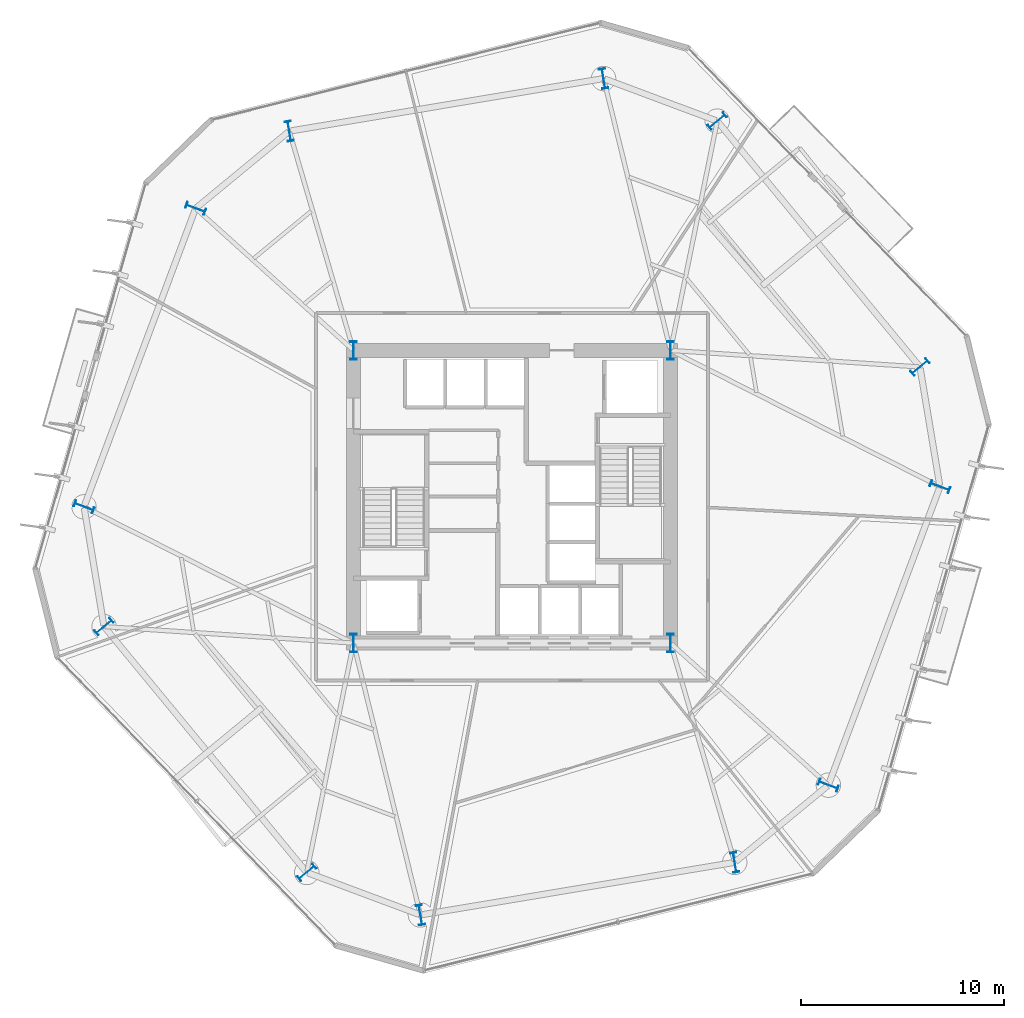
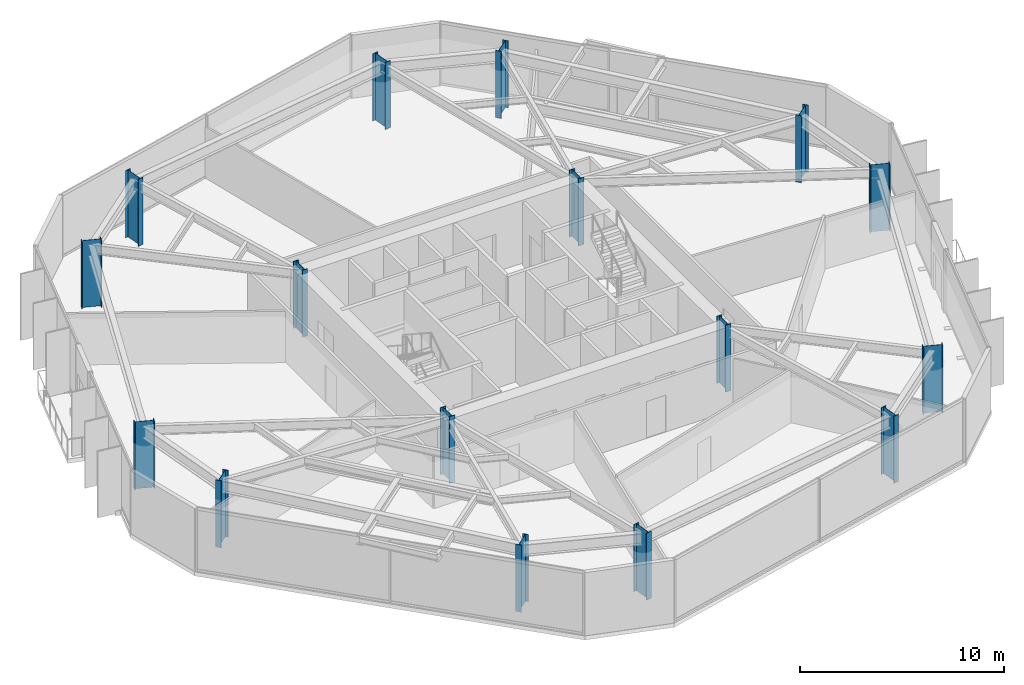
# One storey, part 1 of 10: 16 columns.
"""IFC4 building model written with IfcOpenShell, lengths in metres."""

from ifc_helpers import new_model, si_unit, direction, frame, origin, origin_2d, place, context, subcontext, project, spatial, i_section, extrude, material, material_profile, profile_set, type_object, element, save


model = new_model("IFC4")

# Units and contexts
model_context = context("Model", 3, precision=1e-05, world=origin(), true_north=direction((0.0, 1.0)))
body_context = subcontext(model_context, "Body", "Model", "MODEL_VIEW")
ifc_project = project(units=[si_unit("LENGTHUNIT", "METRE"), si_unit("AREAUNIT", "SQUARE_METRE"), si_unit("VOLUMEUNIT", "CUBIC_METRE"), si_unit("PLANEANGLEUNIT", "RADIAN"), si_unit("MASSUNIT", "GRAM", prefix="KILO")], contexts=[model_context])

# Site, building, storey
site_placement = place(None, origin())
site = spatial("IfcSite", under=ifc_project, at=site_placement, CompositionType="ELEMENT")
building_placement = place(site_placement, origin())
building = spatial("IfcBuilding", under=site, at=building_placement, Name="Kranzbogen Civic Tower", CompositionType="ELEMENT")
storey_placement = place(building_placement, frame((0.0, 0.0, 76.0)))
storey = spatial("IfcBuildingStorey", under=building, at=storey_placement, Name="L18", CompositionType="ELEMENT", Elevation=76.0)

# Columns
ifc_material_1 = material(Name="Steel S355", Category="steel")
ifc_material_profile_1 = material_profile(ifc_material_1, i_section(OverallWidth=0.300048828125, OverallDepth=1.0, WebThickness=0.01904296875, FlangeThickness=0.035888671875, at=origin_2d()), Name="HEB 1000")
ifc_profile_set_1 = profile_set([ifc_material_profile_1], Name="Steel S355")
column_type_1 = type_object("IfcColumnType", Name="Structural Column HEB 1000", PredefinedType="COLUMN", material=ifc_profile_set_1)
for number, where, z_axis, x_axis, name in (
    (1, (45.072021484375, 31.385986328125, 0.0), (0.0, 0.0, 1.0), (-0.636078220278, 0.771624583388, 0.0), "L18 tower perimeter tube column 01"),
    (2, (35.09912109375, 43.48388671875, 0.0), (0.0, 0.0, 1.0), (-0.636078220278, 0.771624583388, 0.0), "L18 tower perimeter tube column 02"),
    (3, (29.5048828125, 45.575927734375, 0.0), (0.0, 0.0, 1.0), (0.986285601537, 0.165047605861, 0.0), "L18 tower perimeter tube column 03"),
    (4, (14.0419921875, 42.988037109375, 0.0), (0.0, 0.0, 1.0), (0.986285601537, 0.165047605861, 0.0), "L18 tower perimeter tube column 04"),
    (5, (9.43310546875, 39.18896484375, 0.0), (0.0, 0.0, 1.0), (0.350207381259, 0.936672189248, 0.0), "L18 tower perimeter tube column 05"),
    (6, (3.943115234375, 24.50390625, 0.0), (0.0, 0.0, 1.0), (0.350207381259, 0.936672189248, 0.0), "L18 tower perimeter tube column 06"),
    (7, (4.927978515625, 18.614013671875, 0.0), (0.0, 0.0, 1.0), (-0.636078220278, 0.771624583388, 0.0), "L18 tower perimeter tube column 07"),
    (8, (14.90087890625, 6.51611328125, 0.0), (0.0, 0.0, 1.0), (-0.636078220278, 0.771624583388, 0.0), "L18 tower perimeter tube column 08"),
    (9, (20.4951171875, 4.424072265625, 0.0), (0.0, 0.0, 1.0), (0.986285601537, 0.165047605861, 0.0), "L18 tower perimeter tube column 09"),
    (10, (35.9580078125, 7.011962890625, 0.0), (0.0, 0.0, 1.0), (0.986285601537, 0.165047605861, 0.0), "L18 tower perimeter tube column 10"),
    (11, (40.56689453125, 10.81103515625, 0.0), (0.0, 0.0, 1.0), (0.350207381259, 0.936672189248, 0.0), "L18 tower perimeter tube column 11"),
    (12, (46.056884765625, 25.49609375, 0.0), (0.0, 0.0, 1.0), (0.350207381259, 0.936672189248, 0.0), "L18 tower perimeter tube column 12"),
):
    element("IfcColumn", number, at=place(storey_placement, frame(where, z_axis=z_axis, x_axis=x_axis)), inside=storey, type_object=column_type_1, Name=name, PredefinedType="COLUMN", context=body_context, shape_type="SweptSolid", body=[
        extrude(i_section(OverallWidth=0.300048828125, OverallDepth=1.0, WebThickness=0.01904296875, FlangeThickness=0.035888671875, at=origin_2d()), origin(), (0.0, 0.0, 1.0), 4.0),
    ])
ifc_material_2 = material(Name="Steel S460", Category="steel")
ifc_material_profile_2 = material_profile(ifc_material_2, i_section(OverallWidth=0.302001953125, OverallDepth=0.909912109375, WebThickness=0.02099609375, FlangeThickness=0.0400390625, at=origin_2d()), Name="HEM 900")
ifc_profile_set_2 = profile_set([ifc_material_profile_2], Name="Steel S460")
column_type_2 = type_object("IfcColumnType", Name="Structural Column HEM 900", PredefinedType="COLUMN", material=ifc_profile_set_2)
for number, where, z_axis, x_axis, name in (
    (13, (17.199951171875, 17.800048828125, 0.0), (0.0, 0.0, 1.0), (1.0, 0.0, 0.0), "L18 composite core corner column 1"),
    (14, (32.800048828125, 17.800048828125, 0.0), (0.0, 0.0, 1.0), (1.0, 0.0, 0.0), "L18 composite core corner column 2"),
    (15, (32.800048828125, 32.199951171875, 0.0), (0.0, 0.0, 1.0), (1.0, 0.0, 0.0), "L18 composite core corner column 3"),
    (16, (17.199951171875, 32.199951171875, 0.0), (0.0, 0.0, 1.0), (1.0, 0.0, 0.0), "L18 composite core corner column 4"),
):
    element("IfcColumn", number, at=place(storey_placement, frame(where, z_axis=z_axis, x_axis=x_axis)), inside=storey, type_object=column_type_2, Name=name, PredefinedType="COLUMN", context=body_context, shape_type="SweptSolid", body=[
        extrude(i_section(OverallWidth=0.302001953125, OverallDepth=0.909912109375, WebThickness=0.02099609375, FlangeThickness=0.0400390625, at=origin_2d()), origin(), (0.0, 0.0, 1.0), 4.0),
    ])

save(model, "model.ifc")
